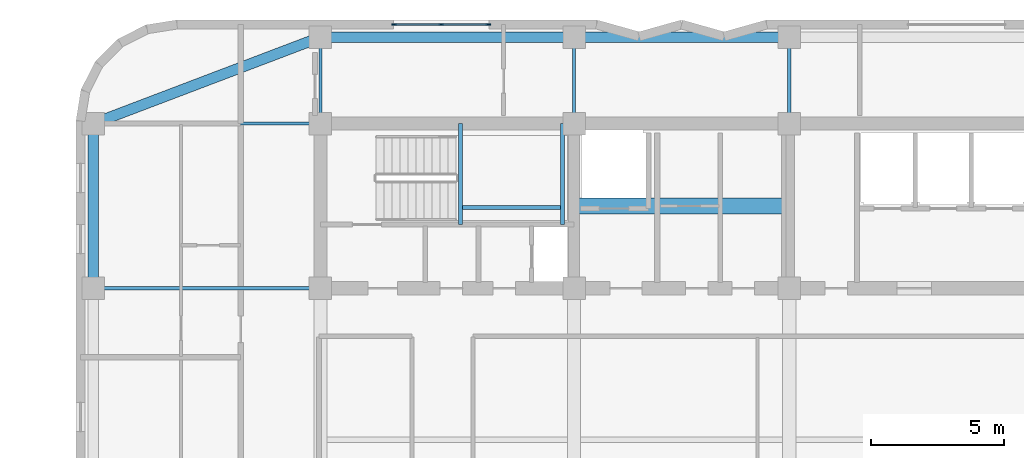
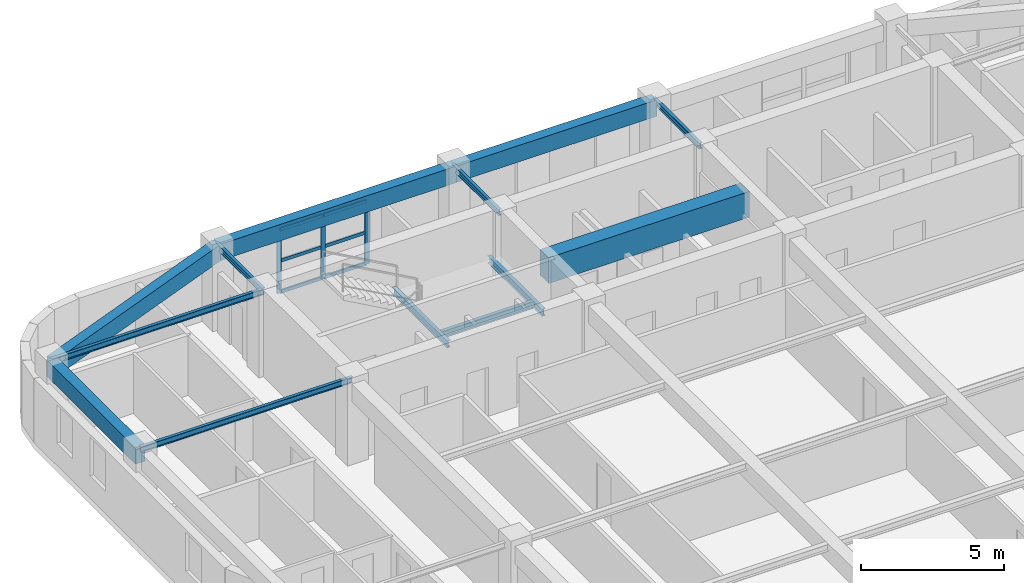
# One storey, part 5 of 14: 13 beams, 9 members, 1 element without a shape of its own.
"""IFC4 building model written with IfcOpenShell, lengths in metres."""

from ifc_helpers import new_model, si_unit, direction, frame, origin, origin_2d, place, context, subcontext, project, spatial, rectangle, i_section, extrude, material, material_profile, profile_set, type_object, element, aggregate, save


model = new_model("IFC4")

# Units and contexts
model_context = context("Model", 3, precision=1e-05, world=origin(), true_north=direction((0.0, 1.0)))
body_context = subcontext(model_context, "Body", "Model", "MODEL_VIEW")
ifc_project = project(units=[si_unit("LENGTHUNIT", "METRE"), si_unit("AREAUNIT", "SQUARE_METRE"), si_unit("VOLUMEUNIT", "CUBIC_METRE"), si_unit("PLANEANGLEUNIT", "RADIAN"), si_unit("MASSUNIT", "GRAM", prefix="KILO")], contexts=[model_context])

# Site, building, storey
site_placement = place(None, origin())
site = spatial("IfcSite", under=ifc_project, at=site_placement, CompositionType="ELEMENT")
building_placement = place(site_placement, origin())
building = spatial("IfcBuilding", under=site, at=building_placement, Name="Svetorya Sky Lyceum", CompositionType="ELEMENT")
storey_placement = place(building_placement, frame((0.0, 0.0, 218.39990234375)))
storey = spatial("IfcBuildingStorey", under=building, at=storey_placement, Name="L54", CompositionType="ELEMENT", Elevation=218.39990234375)

# Beams
ifc_material_1 = material(Name="Concrete C60/75", Category="concrete")
ifc_material_profile_1 = material_profile(ifc_material_1, rectangle(XDim=0.60009765625, YDim=1.10009765625, at=origin_2d()), Name="RC COUPLING 600x1100")
ifc_profile_set_1 = profile_set([ifc_material_profile_1], Name="Concrete C60/75")
beam_type_1 = type_object("IfcBeamType", Name="BM-CPL-1100", PredefinedType="LINTEL", material=ifc_profile_set_1)
beam_1_placement = place(storey_placement, frame((35.14990234375, 42.699951171875, 2.89013671875), z_axis=(1.0, 0.0, 0.0), x_axis=(0.0, 1.0, 0.0)))
element("IfcBeam", 1, at=beam_1_placement, inside=storey, type_object=beam_type_1, Name="L54 NC Core Coupling Beam", PredefinedType="LINTEL", context=body_context, shape_type="SweptSolid", body=[
    extrude(rectangle(XDim=0.60009765625, YDim=1.10009765625, at=origin_2d()), origin(), (0.0, 0.0, 1.0), 8.10009765625),
])
ifc_material_2 = material(Name="Concrete C50/60", Category="concrete")
ifc_material_profile_2 = material_profile(ifc_material_2, rectangle(XDim=0.39990234375, YDim=0.699951171875, at=origin_2d()), Name="RC SPANDREL 400x700")
ifc_profile_set_2 = profile_set([ifc_material_profile_2], Name="Concrete C50/60")
beam_type_2 = type_object("IfcBeamType", Name="BM-SPN-700", PredefinedType="SPANDREL", material=ifc_profile_set_2)
beam_2_placement = place(storey_placement, frame((25.60009765625, 49.050048828125, 3.090087890625), z_axis=(1.0, 0.0, 0.0), x_axis=(0.0, 1.0, 0.0)))
element("IfcBeam", 2, at=beam_2_placement, inside=storey, type_object=beam_type_2, Name="L54 North Spandrel 1", PredefinedType="SPANDREL", context=body_context, shape_type="SweptSolid", body=[
    extrude(rectangle(XDim=0.39990234375, YDim=0.699951171875, at=origin_2d()), origin(), (0.0, 0.0, 1.0), 9.5498046875),
])
beam_3_placement = place(storey_placement, frame((35.14990234375, 49.050048828125, 3.090087890625), z_axis=(1.0, 0.0, 0.0), x_axis=(0.0, 1.0, 0.0)))
element("IfcBeam", 3, at=beam_3_placement, inside=storey, type_object=beam_type_2, Name="L54 North Spandrel 2", PredefinedType="SPANDREL", context=body_context, shape_type="SweptSolid", body=[
    extrude(rectangle(XDim=0.39990234375, YDim=0.699951171875, at=origin_2d()), origin(), (0.0, 0.0, 1.0), 8.10009765625),
])
beam_4_placement = place(storey_placement, frame((17.050048828125, 45.800048828125, 3.090087890625), z_axis=(0.934747947367, 0.355311518099, 0.0), x_axis=(-0.355311518099, 0.934747947367, 0.0)))
element("IfcBeam", 4, at=beam_4_placement, inside=storey, type_object=beam_type_2, Name="L54 Corner Spandrel 4", PredefinedType="SPANDREL", context=body_context, shape_type="SweptSolid", body=[
    extrude(rectangle(XDim=0.39990234375, YDim=0.699951171875, at=origin_2d()), origin(), (0.0, 0.0, 1.0), 9.14697265625),
])
beam_5_placement = place(storey_placement, frame((17.050048828125, 39.60009765625, 3.090087890625), z_axis=(0.0, 1.0, 0.0), x_axis=(-1.0, 0.0, 0.0)))
element("IfcBeam", 5, at=beam_5_placement, inside=storey, type_object=beam_type_2, Name="L54 West Spandrel 4", PredefinedType="SPANDREL", context=body_context, shape_type="SweptSolid", body=[
    extrude(rectangle(XDim=0.39990234375, YDim=0.699951171875, at=origin_2d()), origin(), (0.0, 0.0, 1.0), 6.199951171875),
])
ifc_material_3 = material(Name="Steel S355", Category="steel")
ifc_material_profile_3 = material_profile(ifc_material_3, i_section(OverallWidth=0.1240234375, OverallDepth=0.248046875, WebThickness=0.006103515625, FlangeThickness=0.009521484375, at=origin_2d()), Name="GOST 25B2")
ifc_profile_set_3 = profile_set([ifc_material_profile_3], Name="Steel S355")
beam_type_3 = type_object("IfcBeamType", Name="BM-STL-25B2", PredefinedType="JOIST", material=ifc_profile_set_3)
for number, where, z_axis, x_axis, name in (
    (6, (17.050048828125, 39.60009765625, 3.316162109375), (1.0, 0.0, 0.0), (0.0, 1.0, 0.0), "L54 West Wing Floor Joist W4"),
    (7, (17.050048828125, 45.800048828125, 3.316162109375), (1.0, 0.0, 0.0), (0.0, 1.0, 0.0), "L54 West Wing Floor Joist W5"),
):
    element("IfcBeam", number, at=place(storey_placement, frame(where, z_axis=z_axis, x_axis=x_axis)), inside=storey, type_object=beam_type_3, Name=name, PredefinedType="JOIST", context=body_context, shape_type="SweptSolid", body=[
        extrude(i_section(OverallWidth=0.1240234375, OverallDepth=0.248046875, WebThickness=0.006103515625, FlangeThickness=0.009521484375, at=origin_2d()), origin(), (0.0, 0.0, 1.0), 8.550048828125),
    ])
for number, where, z_axis, x_axis, name in (
    (8, (25.60009765625, 45.800048828125, 3.316162109375), (0.0, 1.0, 0.0), (-1.0, 0.0, 0.0), "L54 North Bay Floor Girder N1"),
    (9, (35.14990234375, 45.800048828125, 3.316162109375), (0.0, 1.0, 0.0), (-1.0, 0.0, 0.0), "L54 North Bay Floor Girder N2"),
    (10, (43.25, 45.800048828125, 3.316162109375), (0.0, 1.0, 0.0), (-1.0, 0.0, 0.0), "L54 North Bay Floor Girder N3"),
):
    element("IfcBeam", number, at=place(storey_placement, frame(where, z_axis=z_axis, x_axis=x_axis)), inside=storey, type_object=beam_type_3, Name=name, PredefinedType="JOIST", context=body_context, shape_type="SweptSolid", body=[
        extrude(i_section(OverallWidth=0.1240234375, OverallDepth=0.248046875, WebThickness=0.006103515625, FlangeThickness=0.009521484375, at=origin_2d()), origin(), (0.0, 0.0, 1.0), 3.25),
    ])
ifc_material_profile_4 = material_profile(ifc_material_3, i_section(OverallWidth=0.14990234375, OverallDepth=0.299072265625, WebThickness=0.006591796875, FlangeThickness=0.010498046875, at=origin_2d()), Name="GOST 30B2")
ifc_profile_set_4 = profile_set([ifc_material_profile_4], Name="Steel S355")
beam_type_4 = type_object("IfcBeamType", Name="BM-STL-30B2", PredefinedType="JOIST", material=ifc_profile_set_4)
for number, where, z_axis, x_axis, name in (
    (11, (30.8798828125, 42.0, 1.50048828125), (0.0, 1.0, 0.0), (-1.0, 0.0, 0.0), "L54 Stair ST-N Half-Landing Support Beam 62.1"),
    (12, (34.719970703125, 42.0, 1.50048828125), (0.0, 1.0, 0.0), (-1.0, 0.0, 0.0), "L54 Stair ST-N Half-Landing Support Beam 62.2"),
):
    element("IfcBeam", number, at=place(storey_placement, frame(where, z_axis=z_axis, x_axis=x_axis)), inside=storey, type_object=beam_type_4, Name=name, PredefinedType="JOIST", context=body_context, shape_type="SweptSolid", body=[
        extrude(i_section(OverallWidth=0.14990234375, OverallDepth=0.299072265625, WebThickness=0.006591796875, FlangeThickness=0.010498046875, at=origin_2d()), origin(), (0.0, 0.0, 1.0), 3.800048828125),
    ])
beam_6_placement = place(storey_placement, frame((30.8798828125, 42.64990234375, 1.50048828125), z_axis=(1.0, 0.0, 0.0), x_axis=(0.0, 1.0, 0.0)))
element("IfcBeam", 13, at=beam_6_placement, inside=storey, type_object=beam_type_4, Name="L54 Stair ST-N Half-Landing Cross Tie 62", PredefinedType="JOIST", context=body_context, shape_type="SweptSolid", body=[
    extrude(i_section(OverallWidth=0.14990234375, OverallDepth=0.299072265625, WebThickness=0.006591796875, FlangeThickness=0.010498046875, at=origin_2d()), origin(), (0.0, 0.0, 1.0), 3.840087890625),
])

# Curtain wall, members
ifc_material_4 = material(Name="Thermally broken anodized aluminium and triple low-E glass", Category="aluminium")
curtain_wall_type = type_object("IfcCurtainWallType", Name="CW3-LOG-RES", PredefinedType="NOTDEFINED", material=ifc_material_4)
curtain_wall_placement = place(storey_placement, origin())
curtain_wall = element("IfcCurtainWall", 14, at=curtain_wall_placement, inside=storey, type_object=curtain_wall_type, Name="L54 Recessed Loggia Curtain Wall 34", PredefinedType="NOTDEFINED")
ifc_material_5 = material(Name="Thermally broken anodized aluminium EN AW-6060", Category="aluminium")
ifc_material_profile_5 = material_profile(ifc_material_5, rectangle(XDim=0.06494140625, YDim=0.179931640625, at=origin_2d()), Name="ALU MULLION 65x180")
ifc_profile_set_5 = profile_set([ifc_material_profile_5], Name="Thermally broken anodized aluminium EN AW-6060")
member_type_1 = type_object("IfcMemberType", Name="CWM-MUL-180", PredefinedType="MULLION", material=ifc_profile_set_5)
member_1_placement = place(storey_placement, frame((31.91748046875, 49.530029296875, 0.0), z_axis=(0.0, 0.0, 1.0), x_axis=(0.0, -1.0, 0.0)))
member_1 = element("IfcMember", 15, at=member_1_placement, type_object=member_type_1, Name="CW-3 mullion 1", PredefinedType="MULLION", context=body_context, shape_type="SweptSolid", body=[
    extrude(rectangle(XDim=0.06494140625, YDim=0.179931640625, at=origin_2d()), origin(), (0.0, 0.0, 1.0), 2.72021484375),
])
member_2_placement = place(storey_placement, frame((30.14990234375, 49.530029296875, 0.0), z_axis=(0.0, 0.0, 1.0), x_axis=(0.0, -1.0, 0.0)))
member_2 = element("IfcMember", 16, at=member_2_placement, type_object=member_type_1, Name="CW-3 mullion 2", PredefinedType="MULLION", context=body_context, shape_type="SweptSolid", body=[
    extrude(rectangle(XDim=0.06494140625, YDim=0.179931640625, at=origin_2d()), origin(), (0.0, 0.0, 1.0), 2.72021484375),
])
member_3_placement = place(storey_placement, frame((28.382568359375, 49.530029296875, 0.0), z_axis=(0.0, 0.0, 1.0), x_axis=(0.0, -1.0, 0.0)))
member_3 = element("IfcMember", 17, at=member_3_placement, type_object=member_type_1, Name="CW-3 mullion 3", PredefinedType="MULLION", context=body_context, shape_type="SweptSolid", body=[
    extrude(rectangle(XDim=0.06494140625, YDim=0.179931640625, at=origin_2d()), origin(), (0.0, 0.0, 1.0), 2.72021484375),
])
ifc_material_profile_6 = material_profile(ifc_material_5, rectangle(XDim=0.06494140625, YDim=0.139892578125, at=origin_2d()), Name="ALU TRANSOM 65x140")
ifc_profile_set_6 = profile_set([ifc_material_profile_6], Name="Thermally broken anodized aluminium EN AW-6060")
member_type_2 = type_object("IfcMemberType", Name="CWM-TRN-140", PredefinedType="USERDEFINED", material=ifc_profile_set_6)
member_4_placement = place(storey_placement, frame((31.886474609375, 49.530029296875, 0.03271484375), z_axis=(-1.0, 0.0, 0.0), x_axis=(0.0, -1.0, 0.0)))
member_4 = element("IfcMember", 18, at=member_4_placement, type_object=member_type_2, Name="CW-3 transom 1.1", ObjectType="TRANSOM", PredefinedType="USERDEFINED", context=body_context, shape_type="SweptSolid", body=[
    extrude(rectangle(XDim=0.06494140625, YDim=0.139892578125, at=origin_2d()), origin(), (0.0, 0.0, 1.0), 1.70556640625),
])
member_5_placement = place(storey_placement, frame((31.886474609375, 49.530029296875, 1.360107421875), z_axis=(-1.0, 0.0, 0.0), x_axis=(0.0, -1.0, 0.0)))
member_5 = element("IfcMember", 19, at=member_5_placement, type_object=member_type_2, Name="CW-3 transom 1.2", ObjectType="TRANSOM", PredefinedType="USERDEFINED", context=body_context, shape_type="SweptSolid", body=[
    extrude(rectangle(XDim=0.06494140625, YDim=0.139892578125, at=origin_2d()), origin(), (0.0, 0.0, 1.0), 1.70556640625),
])
member_6_placement = place(storey_placement, frame((31.886474609375, 49.530029296875, 2.6875), z_axis=(-1.0, 0.0, 0.0), x_axis=(0.0, -1.0, 0.0)))
member_6 = element("IfcMember", 20, at=member_6_placement, type_object=member_type_2, Name="CW-3 transom 1.3", ObjectType="TRANSOM", PredefinedType="USERDEFINED", context=body_context, shape_type="SweptSolid", body=[
    extrude(rectangle(XDim=0.06494140625, YDim=0.139892578125, at=origin_2d()), origin(), (0.0, 0.0, 1.0), 1.70556640625),
])
member_7_placement = place(storey_placement, frame((30.118896484375, 49.530029296875, 0.03271484375), z_axis=(-1.0, 0.0, 0.0), x_axis=(0.0, -1.0, 0.0)))
member_7 = element("IfcMember", 21, at=member_7_placement, type_object=member_type_2, Name="CW-3 transom 2.1", ObjectType="TRANSOM", PredefinedType="USERDEFINED", context=body_context, shape_type="SweptSolid", body=[
    extrude(rectangle(XDim=0.06494140625, YDim=0.139892578125, at=origin_2d()), origin(), (0.0, 0.0, 1.0), 1.705322265625),
])
member_8_placement = place(storey_placement, frame((30.118896484375, 49.530029296875, 1.360107421875), z_axis=(-1.0, 0.0, 0.0), x_axis=(0.0, -1.0, 0.0)))
member_8 = element("IfcMember", 22, at=member_8_placement, type_object=member_type_2, Name="CW-3 transom 2.2", ObjectType="TRANSOM", PredefinedType="USERDEFINED", context=body_context, shape_type="SweptSolid", body=[
    extrude(rectangle(XDim=0.06494140625, YDim=0.139892578125, at=origin_2d()), origin(), (0.0, 0.0, 1.0), 1.705322265625),
])
member_9_placement = place(storey_placement, frame((30.118896484375, 49.530029296875, 2.6875), z_axis=(-1.0, 0.0, 0.0), x_axis=(0.0, -1.0, 0.0)))
member_9 = element("IfcMember", 23, at=member_9_placement, type_object=member_type_2, Name="CW-3 transom 2.3", ObjectType="TRANSOM", PredefinedType="USERDEFINED", context=body_context, shape_type="SweptSolid", body=[
    extrude(rectangle(XDim=0.06494140625, YDim=0.139892578125, at=origin_2d()), origin(), (0.0, 0.0, 1.0), 1.705322265625),
])
aggregate(curtain_wall, [member_1, member_2, member_3, member_4, member_5, member_6, member_7, member_8, member_9])

save(model, "model.ifc")
